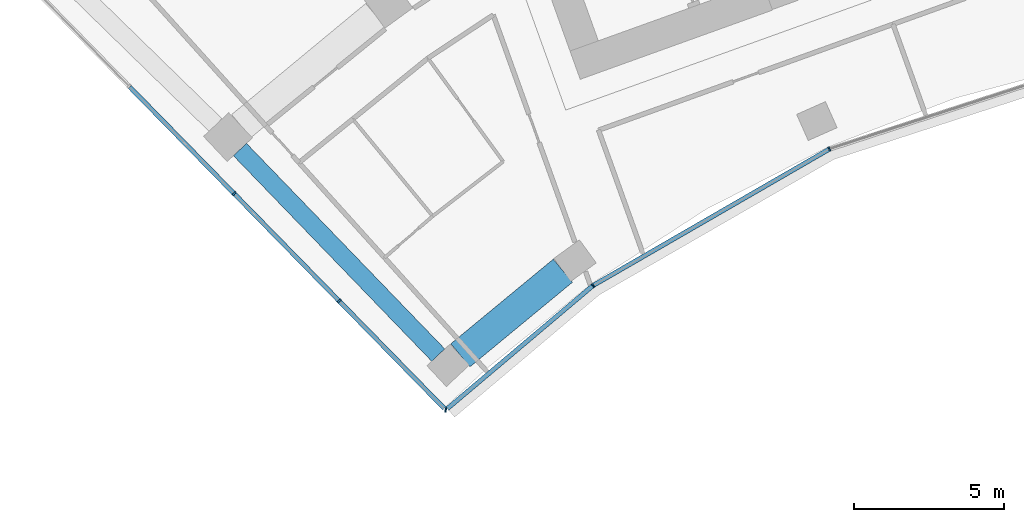
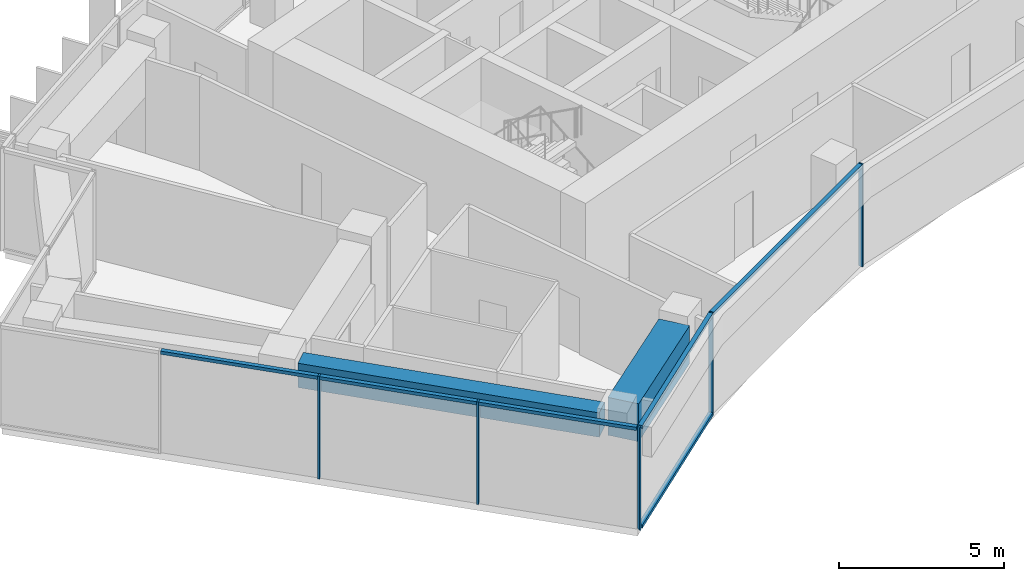
# One storey, part 2 of 19: 11 members, 2 beams, 2 elements without a shape of their own.
"""IFC4 building model written with IfcOpenShell, lengths in metres."""

from ifc_helpers import new_model, si_unit, direction, frame, origin, origin_2d, place, context, subcontext, project, spatial, rectangle, extrude, material, layer, layer_set, material_profile, profile_set, type_object, element, aggregate, save


model = new_model("IFC4")

# Units and contexts
model_context = context("Model", 3, precision=1e-05, world=origin(), true_north=direction((0.0, 1.0)))
body_context = subcontext(model_context, "Body", "Model", "MODEL_VIEW")
ifc_project = project(units=[si_unit("LENGTHUNIT", "METRE"), si_unit("AREAUNIT", "SQUARE_METRE"), si_unit("VOLUMEUNIT", "CUBIC_METRE"), si_unit("PLANEANGLEUNIT", "RADIAN"), si_unit("MASSUNIT", "GRAM", prefix="KILO")], contexts=[model_context])

# Site, building, storey
site_placement = place(None, origin())
site = spatial("IfcSite", under=ifc_project, at=site_placement, CompositionType="ELEMENT")
building_placement = place(site_placement, origin())
building = spatial("IfcBuilding", under=site, at=building_placement, Name="Stone Belt Terrace Tower", CompositionType="ELEMENT")
storey_placement = place(building_placement, frame((0.0, 0.0, 223.800048828125)))
storey = spatial("IfcBuildingStorey", under=building, at=storey_placement, Name="L54", CompositionType="ELEMENT", Elevation=223.800048828125)

# Curtain wall, members
ifc_material_1 = material(Name="Aluminium 6063-T6 anodised frame", Category="aluminium")
ifc_layer_1 = layer(ifc_material_1, 0.14990234375)
ifc_layer_set_1 = layer_set([ifc_layer_1], Name="CW-B unitised concave-face curtain wall")
curtain_wall_type_1 = type_object("IfcCurtainWallType", Name="CW-B unitised concave-face curtain wall", PredefinedType="NOTDEFINED", material=ifc_layer_set_1)
curtain_wall_1_placement = place(storey_placement, origin())
curtain_wall_1 = element("IfcCurtainWall", 1, at=curtain_wall_1_placement, inside=storey, type_object=curtain_wall_type_1, Name="CW-B concave face L54", PredefinedType="NOTDEFINED")
ifc_material_profile_1 = material_profile(ifc_material_1, rectangle(XDim=0.14990234375, YDim=0.050048828125, at=origin_2d()), Name="Aluminium 6063-T6 50x150")
ifc_profile_set_1 = profile_set([ifc_material_profile_1], Name="Aluminium 6063-T6 anodised frame")
member_type_1 = type_object("IfcMemberType", Name="CW-B mullion 50 x 150", PredefinedType="MULLION", material=ifc_profile_set_1)
member_1_placement = place(storey_placement, frame((-30.428466796875, 30.98876953125, 0.0), z_axis=(0.0, 0.0, 1.0), x_axis=(0.047391681792, 0.998876382991, 0.0)))
member_1 = element("IfcMember", 2, at=member_1_placement, type_object=member_type_1, Name="CW-B mullion 1", PredefinedType="MULLION", context=body_context, shape_type="SweptSolid", body=[
    extrude(rectangle(XDim=0.14990234375, YDim=0.050048828125, at=origin_2d()), origin(), (0.0, 0.0, 1.0), 3.800048828125),
])
member_2_placement = place(storey_placement, frame((-25.525390625, 35.130615234375, 0.0), z_axis=(0.0, 0.0, 1.0), x_axis=(-0.574927375225, 0.818204444633, 0.0)))
member_2 = element("IfcMember", 3, at=member_2_placement, type_object=member_type_1, Name="CW-B mullion 2", PredefinedType="MULLION", context=body_context, shape_type="SweptSolid", body=[
    extrude(rectangle(XDim=0.14990234375, YDim=0.050048828125, at=origin_2d()), origin(), (0.0, 0.0, 1.0), 3.800048828125),
])
member_3_placement = place(storey_placement, frame((-17.662353515625, 39.67041015625, 0.0), z_axis=(0.0, 0.0, 1.0), x_axis=(-0.406736643076, 0.913545457643, 0.0)))
member_3 = element("IfcMember", 4, at=member_3_placement, type_object=member_type_1, Name="CW-B mullion 3", PredefinedType="MULLION", context=body_context, shape_type="SweptSolid", body=[
    extrude(rectangle(XDim=0.14990234375, YDim=0.050048828125, at=origin_2d()), origin(), (0.0, 0.0, 1.0), 3.800048828125),
])
ifc_material_profile_2 = material_profile(ifc_material_1, rectangle(XDim=0.14990234375, YDim=0.1201171875, at=origin_2d()), Name="Aluminium 6063-T6 150x120")
ifc_profile_set_2 = profile_set([ifc_material_profile_2], Name="Aluminium 6063-T6 anodised frame")
member_type_2 = type_object("IfcMemberType", Name="CW-B transom 120 x 150", PredefinedType="USERDEFINED", material=ifc_profile_set_2)
member_4_placement = place(storey_placement, frame((-30.37548828125, 31.03369140625, 0.06005859375), z_axis=(0.763918143639, 0.645313156397, 0.0), x_axis=(-0.645313156397, 0.763918143639, 0.0)))
member_4 = element("IfcMember", 5, at=member_4_placement, type_object=member_type_2, Name="CW-B transom 1.1", ObjectType="TRANSOM", PredefinedType="USERDEFINED", context=body_context, shape_type="SweptSolid", body=[
    extrude(rectangle(XDim=0.14990234375, YDim=0.1201171875, at=origin_2d()), origin(), (0.0, 0.0, 1.0), 6.3173828125),
])
member_5_placement = place(storey_placement, frame((-30.37548828125, 31.03369140625, 3.739990234375), z_axis=(0.763918143639, 0.645313156397, 0.0), x_axis=(-0.645313156397, 0.763918143639, 0.0)))
member_5 = element("IfcMember", 6, at=member_5_placement, type_object=member_type_2, Name="CW-B transom 1.2", ObjectType="TRANSOM", PredefinedType="USERDEFINED", context=body_context, shape_type="SweptSolid", body=[
    extrude(rectangle(XDim=0.14990234375, YDim=0.1201171875, at=origin_2d()), origin(), (0.0, 0.0, 1.0), 6.3173828125),
])
member_6_placement = place(storey_placement, frame((-25.498046875, 35.146484375, 3.739990234375), z_axis=(0.866026391836, 0.499998288641, 0.0), x_axis=(-0.499998288641, 0.866026391836, 0.0)))
member_6 = element("IfcMember", 7, at=member_6_placement, type_object=member_type_2, Name="CW-B transom 2.1", ObjectType="TRANSOM", PredefinedType="USERDEFINED", context=body_context, shape_type="SweptSolid", body=[
    extrude(rectangle(XDim=0.14990234375, YDim=0.1201171875, at=origin_2d()), origin(), (0.0, 0.0, 1.0), 9.01513671875),
])
aggregate(curtain_wall_1, [member_1, member_2, member_3, member_4, member_5, member_6])

ifc_layer_2 = layer(ifc_material_1, 0.14990234375)
ifc_layer_set_2 = layer_set([ifc_layer_2], Name="CW-C stick curtain wall, horn ends and notches")
curtain_wall_type_2 = type_object("IfcCurtainWallType", Name="CW-C stick curtain wall, horn ends and notches", PredefinedType="NOTDEFINED", material=ifc_layer_set_2)
curtain_wall_2_placement = place(storey_placement, origin())
curtain_wall_2 = element("IfcCurtainWall", 8, at=curtain_wall_2_placement, inside=storey, type_object=curtain_wall_type_2, Name="CW-C end face L54", PredefinedType="NOTDEFINED")
ifc_material_profile_3 = material_profile(ifc_material_1, rectangle(XDim=0.14990234375, YDim=0.06005859375, at=origin_2d()), Name="Aluminium 6063-T6 60x150")
ifc_profile_set_3 = profile_set([ifc_material_profile_3], Name="Aluminium 6063-T6 anodised frame")
member_type_3 = type_object("IfcMemberType", Name="CW-C mullion 60 x 150", PredefinedType="MULLION", material=ifc_profile_set_3)
member_7_placement = place(storey_placement, frame((-37.470947265625, 38.18603515625, 0.0), z_axis=(0.0, 0.0, 1.0), x_axis=(0.714739013009, 0.699391266233, 0.0)))
member_7 = element("IfcMember", 9, at=member_7_placement, type_object=member_type_3, Name="CW-C mullion 3", PredefinedType="MULLION", context=body_context, shape_type="SweptSolid", body=[
    extrude(rectangle(XDim=0.14990234375, YDim=0.06005859375, at=origin_2d()), origin(), (0.0, 0.0, 1.0), 3.800048828125),
])
member_8_placement = place(storey_placement, frame((-33.97412109375, 34.6123046875, 0.0), z_axis=(0.0, 0.0, 1.0), x_axis=(0.714739013009, 0.699391266233, 0.0)))
member_8 = element("IfcMember", 10, at=member_8_placement, type_object=member_type_3, Name="CW-C mullion 4", PredefinedType="MULLION", context=body_context, shape_type="SweptSolid", body=[
    extrude(rectangle(XDim=0.14990234375, YDim=0.06005859375, at=origin_2d()), origin(), (0.0, 0.0, 1.0), 3.800048828125),
])
ifc_material_profile_4 = material_profile(ifc_material_1, rectangle(XDim=0.14990234375, YDim=0.1201171875, at=origin_2d()), Name="Aluminium 6063-T6 150x120")
ifc_profile_set_4 = profile_set([ifc_material_profile_4], Name="Aluminium 6063-T6 anodised frame")
member_type_4 = type_object("IfcMemberType", Name="CW-C transom 120 x 150", PredefinedType="USERDEFINED", material=ifc_profile_set_4)
member_9_placement = place(storey_placement, frame((-40.947021484375, 41.73828125, 3.739990234375), z_axis=(0.699405042801, -0.714725532009, 0.0), x_axis=(0.714725532009, 0.699405042801, 0.0)))
member_9 = element("IfcMember", 11, at=member_9_placement, type_object=member_type_4, Name="CW-C transom 2.1", ObjectType="TRANSOM", PredefinedType="USERDEFINED", context=body_context, shape_type="SweptSolid", body=[
    extrude(rectangle(XDim=0.14990234375, YDim=0.1201171875, at=origin_2d()), origin(), (0.0, 0.0, 1.0), 4.93994140625),
])
member_10_placement = place(storey_placement, frame((-37.449951171875, 38.16455078125, 3.739990234375), z_axis=(0.699379795669, -0.714750237083, 0.0), x_axis=(0.714750237083, 0.699379795669, 0.0)))
member_10 = element("IfcMember", 12, at=member_10_placement, type_object=member_type_4, Name="CW-C transom 3.1", ObjectType="TRANSOM", PredefinedType="USERDEFINED", context=body_context, shape_type="SweptSolid", body=[
    extrude(rectangle(XDim=0.14990234375, YDim=0.1201171875, at=origin_2d()), origin(), (0.0, 0.0, 1.0), 4.93994140625),
])
member_11_placement = place(storey_placement, frame((-33.953125, 34.591064453125, 3.739990234375), z_axis=(0.699372233695, -0.714757636362, 0.0), x_axis=(0.714757636362, 0.699372233695, 0.0)))
member_11 = element("IfcMember", 13, at=member_11_placement, type_object=member_type_4, Name="CW-C transom 4.1", ObjectType="TRANSOM", PredefinedType="USERDEFINED", context=body_context, shape_type="SweptSolid", body=[
    extrude(rectangle(XDim=0.14990234375, YDim=0.1201171875, at=origin_2d()), origin(), (0.0, 0.0, 1.0), 4.966796875),
])
aggregate(curtain_wall_2, [member_7, member_8, member_9, member_10, member_11])

# Beams
ifc_material_2 = material(Name="Concrete B60", Category="concrete")
ifc_material_profile_5 = material_profile(ifc_material_2, rectangle(XDim=0.60009765625, YDim=0.89990234375, at=origin_2d()), Name="RC 600x900")
ifc_profile_set_5 = profile_set([ifc_material_profile_5], Name="Concrete B60")
beam_type_1 = type_object("IfcBeamType", Name="Edge beam RC 600x900 B60", PredefinedType="SPANDREL", material=ifc_profile_set_5)
beam_1_placement = place(storey_placement, frame((-30.677001953125, 32.8134765625, 3.030029296875), z_axis=(-0.694305705346, 0.719680198091, 0.0), x_axis=(-0.719680198091, -0.694305705346, 0.0)))
element("IfcBeam", 14, at=beam_1_placement, inside=storey, type_object=beam_type_1, Name="Edge beam L54 A P to Q", PredefinedType="SPANDREL", context=body_context, shape_type="SweptSolid", body=[
    extrude(rectangle(XDim=0.60009765625, YDim=0.89990234375, at=origin_2d()), origin(), (0.0, 0.0, 1.0), 9.506103515625),
])
ifc_material_3 = material(Name="Concrete B80", Category="concrete")
ifc_material_profile_6 = material_profile(ifc_material_3, rectangle(XDim=1.0, YDim=1.39990234375, at=origin_2d()), Name="RC 1000x1400")
ifc_profile_set_6 = profile_set([ifc_material_profile_6], Name="Concrete B80")
beam_type_2 = type_object("IfcBeamType", Name="Transfer beam RC 1000x1400 B80", PredefinedType="BEAM", material=ifc_profile_set_6)
beam_2_placement = place(storey_placement, frame((-29.941650390625, 32.806396484375, 2.780029296875), z_axis=(0.77127506096, 0.636501987696, 0.0), x_axis=(-0.636501987696, 0.77127506096, 0.0)))
element("IfcBeam", 15, at=beam_2_placement, inside=storey, type_object=beam_type_2, Name="Transfer beam L54 PPA-P16", PredefinedType="BEAM", context=body_context, shape_type="SweptSolid", body=[
    extrude(rectangle(XDim=1.0, YDim=1.39990234375, at=origin_2d()), origin(), (0.0, 0.0, 1.0), 4.423583984375),
])

save(model, "model.ifc")
